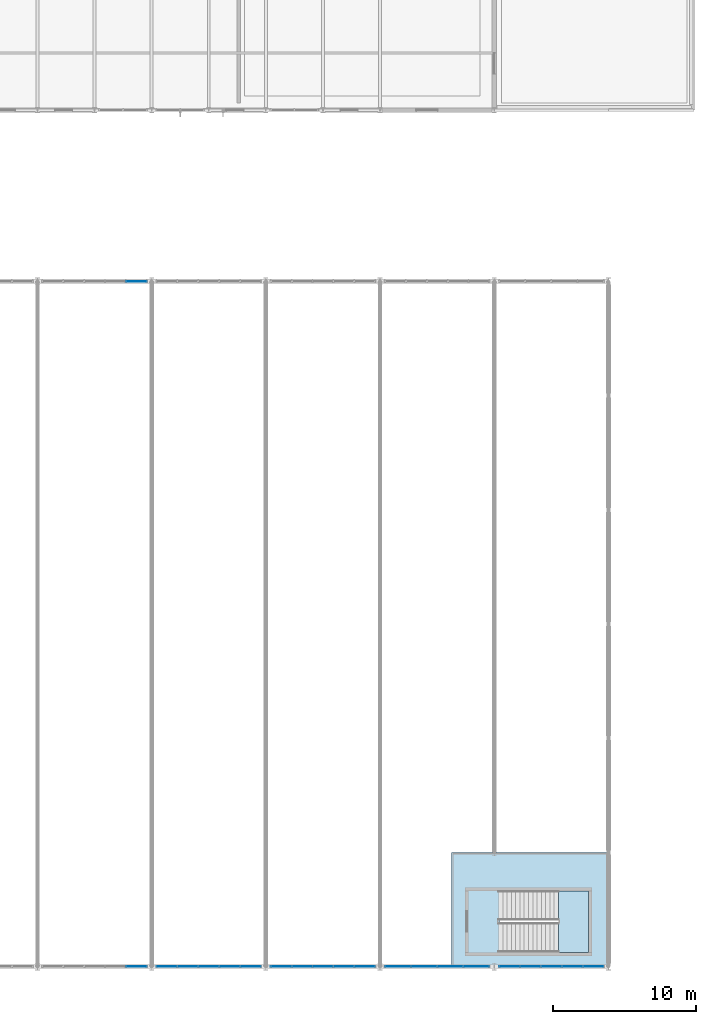
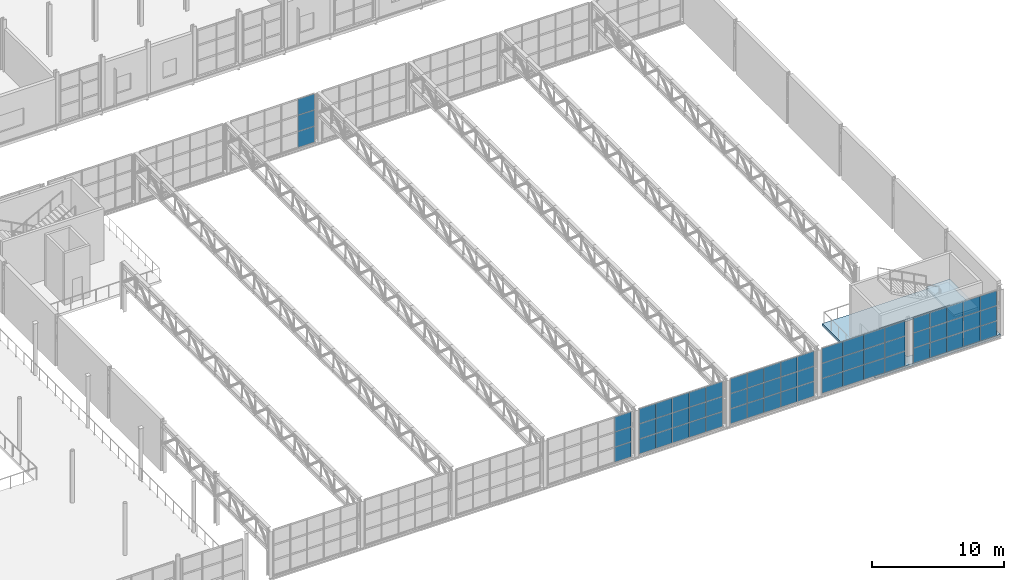
# One storey, part 115 of 143: 63 plates, 2 slabs, 7 elements without a shape of their own.
"""IFC4 building model written with IfcOpenShell, lengths in metres."""

from ifc_helpers import new_model, si_unit, derived_unit, direction, frame, origin, origin_2d, place, context, subcontext, project, spatial, polyline, rectangle, outline, extrude, material, layer, layer_set, type_object, element, aggregate, save


model = new_model("IFC4")

# Units and contexts
model_context = context("Model", 3, precision=1e-05, world=origin(), true_north=direction((0.0, 1.0)))
body_context = subcontext(model_context, "Body", "Model", "MODEL_VIEW")
ifc_project = project(units=[si_unit("LENGTHUNIT", "METRE"), si_unit("AREAUNIT", "SQUARE_METRE"), si_unit("VOLUMEUNIT", "CUBIC_METRE"), si_unit("PLANEANGLEUNIT", "RADIAN"), si_unit("MASSUNIT", "GRAM", prefix="KILO"), derived_unit("THERMALTRANSMITTANCEUNIT", [(si_unit("POWERUNIT", "WATT"), 1), (si_unit("LENGTHUNIT", "METRE"), -2), (si_unit("THERMODYNAMICTEMPERATUREUNIT", "KELVIN"), -1)])], contexts=[model_context])

# Site, building, storey
site_placement = place(None, origin())
site = spatial("IfcSite", under=ifc_project, at=site_placement, CompositionType="ELEMENT")
building_placement = place(site_placement, origin())
building = spatial("IfcBuilding", under=site, at=building_placement, Name="Keldorne Ridge Multi-Sports Centre", CompositionType="ELEMENT")
storey_placement = place(building_placement, frame((0.0, 0.0, 4.800048828125)))
storey = spatial("IfcBuildingStorey", under=building, at=storey_placement, Name="L01", CompositionType="ELEMENT", Elevation=4.800048828125)

# Curtain wall, plates
ifc_material_1 = material(Name="Anodized aluminium", Category="aluminium")
curtain_wall_type_1 = type_object("IfcCurtainWallType", Name="CW-CW-02", PredefinedType="NOTDEFINED", material=ifc_material_1)
curtain_wall_1_placement = place(storey_placement, origin())
curtain_wall_1 = element("IfcCurtainWall", 1, at=curtain_wall_1_placement, inside=storey, type_object=curtain_wall_type_1, Name="Lower Courts high clerestory 106", PredefinedType="NOTDEFINED")
ifc_material_2 = material(Name="Double low-e insulated glazing", Category="glass")
ifc_layer_1 = layer(ifc_material_2, 0.035888671875)
ifc_layer_set_1 = layer_set([ifc_layer_1])
plate_type = type_object("IfcPlateType", Name="PLT-GL-01", PredefinedType="CURTAIN_PANEL", material=ifc_layer_set_1)
plate_1_placement = place(storey_placement, frame((134.927978515625, 6.0, 0.02001953125), z_axis=(0.0, 0.0, 1.0), x_axis=(1.0, 0.0, 0.0)))
plate_1 = element("IfcPlate", 2, at=plate_1_placement, type_object=plate_type, Name="CW-106 glazed panel 5.1", PredefinedType="CURTAIN_PANEL", context=body_context, shape_type="SweptSolid", body=[
    extrude(rectangle(XDim=1.424072265625, YDim=0.035888671875, at=origin_2d()), origin(), (0.0, 0.0, 1.0), 1.360107421875),
])
plate_2_placement = place(storey_placement, frame((134.927978515625, 6.0, 1.419921875), z_axis=(0.0, 0.0, 1.0), x_axis=(1.0, 0.0, 0.0)))
plate_2 = element("IfcPlate", 3, at=plate_2_placement, type_object=plate_type, Name="CW-106 glazed panel 5.2", PredefinedType="CURTAIN_PANEL", context=body_context, shape_type="SweptSolid", body=[
    extrude(rectangle(XDim=1.424072265625, YDim=0.035888671875, at=origin_2d()), origin(), (0.0, 0.0, 1.0), 1.360107421875),
])
plate_3_placement = place(storey_placement, frame((134.927978515625, 6.0, 2.81982421875), z_axis=(0.0, 0.0, 1.0), x_axis=(1.0, 0.0, 0.0)))
plate_3 = element("IfcPlate", 4, at=plate_3_placement, type_object=plate_type, Name="CW-106 glazed panel 5.3", PredefinedType="CURTAIN_PANEL", context=body_context, shape_type="SweptSolid", body=[
    extrude(rectangle(XDim=1.424072265625, YDim=0.035888671875, at=origin_2d()), origin(), (0.0, 0.0, 1.0), 1.360107421875),
])
aggregate(curtain_wall_1, [plate_1, plate_2, plate_3])

curtain_wall_type_2 = type_object("IfcCurtainWallType", Name="CW-CW-06", PredefinedType="NOTDEFINED", material=ifc_material_1)
curtain_wall_2_placement = place(storey_placement, origin())
curtain_wall_2 = element("IfcCurtainWall", 5, at=curtain_wall_2_placement, inside=storey, type_object=curtain_wall_type_2, Name="Lower Courts north clerestory 110", PredefinedType="NOTDEFINED")
plate_4_placement = place(storey_placement, frame((134.927978515625, 54.0, 0.02001953125), z_axis=(0.0, 0.0, 1.0), x_axis=(-1.0, 0.0, 0.0)))
plate_4 = element("IfcPlate", 6, at=plate_4_placement, type_object=plate_type, Name="CW-110 glazed panel 1.1", PredefinedType="CURTAIN_PANEL", context=body_context, shape_type="SweptSolid", body=[
    extrude(rectangle(XDim=1.424072265625, YDim=0.035888671875, at=origin_2d()), origin(), (0.0, 0.0, 1.0), 1.4599609375),
])
plate_5_placement = place(storey_placement, frame((134.927978515625, 54.0, 1.52001953125), z_axis=(0.0, 0.0, 1.0), x_axis=(-1.0, 0.0, 0.0)))
plate_5 = element("IfcPlate", 7, at=plate_5_placement, type_object=plate_type, Name="CW-110 glazed panel 1.2", PredefinedType="CURTAIN_PANEL", context=body_context, shape_type="SweptSolid", body=[
    extrude(rectangle(XDim=1.424072265625, YDim=0.035888671875, at=origin_2d()), origin(), (0.0, 0.0, 1.0), 1.4599609375),
])
plate_6_placement = place(storey_placement, frame((134.927978515625, 54.0, 3.02001953125), z_axis=(0.0, 0.0, 1.0), x_axis=(-1.0, 0.0, 0.0)))
plate_6 = element("IfcPlate", 8, at=plate_6_placement, type_object=plate_type, Name="CW-110 glazed panel 1.3", PredefinedType="CURTAIN_PANEL", context=body_context, shape_type="SweptSolid", body=[
    extrude(rectangle(XDim=1.424072265625, YDim=0.035888671875, at=origin_2d()), origin(), (0.0, 0.0, 1.0), 1.4599609375),
])
aggregate(curtain_wall_2, [plate_4, plate_5, plate_6])

curtain_wall_type_3 = type_object("IfcCurtainWallType", Name="CW-CW-01", PredefinedType="NOTDEFINED", material=ifc_material_1)
curtain_wall_3_placement = place(storey_placement, origin())
curtain_wall_3 = element("IfcCurtainWall", 9, at=curtain_wall_3_placement, inside=storey, type_object=curtain_wall_type_3, Name="Lower Courts high clerestory 113", PredefinedType="NOTDEFINED")
plate_7_placement = place(storey_placement, frame((137.072021484375, 6.0, 0.02001953125), z_axis=(0.0, 0.0, 1.0), x_axis=(1.0, 0.0, 0.0)))
plate_7 = element("IfcPlate", 10, at=plate_7_placement, type_object=plate_type, Name="CW-113 glazed panel 1.1", PredefinedType="CURTAIN_PANEL", context=body_context, shape_type="SweptSolid", body=[
    extrude(rectangle(XDim=1.424072265625, YDim=0.035888671875, at=origin_2d()), origin(), (0.0, 0.0, 1.0), 1.360107421875),
])
plate_8_placement = place(storey_placement, frame((137.072021484375, 6.0, 1.419921875), z_axis=(0.0, 0.0, 1.0), x_axis=(1.0, 0.0, 0.0)))
plate_8 = element("IfcPlate", 11, at=plate_8_placement, type_object=plate_type, Name="CW-113 glazed panel 1.2", PredefinedType="CURTAIN_PANEL", context=body_context, shape_type="SweptSolid", body=[
    extrude(rectangle(XDim=1.424072265625, YDim=0.035888671875, at=origin_2d()), origin(), (0.0, 0.0, 1.0), 1.360107421875),
])
plate_9_placement = place(storey_placement, frame((137.072021484375, 6.0, 2.81982421875), z_axis=(0.0, 0.0, 1.0), x_axis=(1.0, 0.0, 0.0)))
plate_9 = element("IfcPlate", 12, at=plate_9_placement, type_object=plate_type, Name="CW-113 glazed panel 1.3", PredefinedType="CURTAIN_PANEL", context=body_context, shape_type="SweptSolid", body=[
    extrude(rectangle(XDim=1.424072265625, YDim=0.035888671875, at=origin_2d()), origin(), (0.0, 0.0, 1.0), 1.360107421875),
])
plate_10_placement = place(storey_placement, frame((138.535888671875, 6.0, 0.02001953125), z_axis=(0.0, 0.0, 1.0), x_axis=(1.0, 0.0, 0.0)))
plate_10 = element("IfcPlate", 13, at=plate_10_placement, type_object=plate_type, Name="CW-113 glazed panel 2.1", PredefinedType="CURTAIN_PANEL", context=body_context, shape_type="SweptSolid", body=[
    extrude(rectangle(XDim=1.424072265625, YDim=0.035888671875, at=origin_2d()), origin(), (0.0, 0.0, 1.0), 1.360107421875),
])
plate_11_placement = place(storey_placement, frame((138.535888671875, 6.0, 1.419921875), z_axis=(0.0, 0.0, 1.0), x_axis=(1.0, 0.0, 0.0)))
plate_11 = element("IfcPlate", 14, at=plate_11_placement, type_object=plate_type, Name="CW-113 glazed panel 2.2", PredefinedType="CURTAIN_PANEL", context=body_context, shape_type="SweptSolid", body=[
    extrude(rectangle(XDim=1.424072265625, YDim=0.035888671875, at=origin_2d()), origin(), (0.0, 0.0, 1.0), 1.360107421875),
])
plate_12_placement = place(storey_placement, frame((138.535888671875, 6.0, 2.81982421875), z_axis=(0.0, 0.0, 1.0), x_axis=(1.0, 0.0, 0.0)))
plate_12 = element("IfcPlate", 15, at=plate_12_placement, type_object=plate_type, Name="CW-113 glazed panel 2.3", PredefinedType="CURTAIN_PANEL", context=body_context, shape_type="SweptSolid", body=[
    extrude(rectangle(XDim=1.424072265625, YDim=0.035888671875, at=origin_2d()), origin(), (0.0, 0.0, 1.0), 1.360107421875),
])
plate_13_placement = place(storey_placement, frame((140.0, 6.0, 0.02001953125), z_axis=(0.0, 0.0, 1.0), x_axis=(1.0, 0.0, 0.0)))
plate_13 = element("IfcPlate", 16, at=plate_13_placement, type_object=plate_type, Name="CW-113 glazed panel 3.1", PredefinedType="CURTAIN_PANEL", context=body_context, shape_type="SweptSolid", body=[
    extrude(rectangle(XDim=1.424072265625, YDim=0.035888671875, at=origin_2d()), origin(), (0.0, 0.0, 1.0), 1.360107421875),
])
plate_14_placement = place(storey_placement, frame((140.0, 6.0, 1.419921875), z_axis=(0.0, 0.0, 1.0), x_axis=(1.0, 0.0, 0.0)))
plate_14 = element("IfcPlate", 17, at=plate_14_placement, type_object=plate_type, Name="CW-113 glazed panel 3.2", PredefinedType="CURTAIN_PANEL", context=body_context, shape_type="SweptSolid", body=[
    extrude(rectangle(XDim=1.424072265625, YDim=0.035888671875, at=origin_2d()), origin(), (0.0, 0.0, 1.0), 1.360107421875),
])
plate_15_placement = place(storey_placement, frame((140.0, 6.0, 2.81982421875), z_axis=(0.0, 0.0, 1.0), x_axis=(1.0, 0.0, 0.0)))
plate_15 = element("IfcPlate", 18, at=plate_15_placement, type_object=plate_type, Name="CW-113 glazed panel 3.3", PredefinedType="CURTAIN_PANEL", context=body_context, shape_type="SweptSolid", body=[
    extrude(rectangle(XDim=1.424072265625, YDim=0.035888671875, at=origin_2d()), origin(), (0.0, 0.0, 1.0), 1.360107421875),
])
plate_16_placement = place(storey_placement, frame((141.464111328125, 6.0, 0.02001953125), z_axis=(0.0, 0.0, 1.0), x_axis=(1.0, 0.0, 0.0)))
plate_16 = element("IfcPlate", 19, at=plate_16_placement, type_object=plate_type, Name="CW-113 glazed panel 4.1", PredefinedType="CURTAIN_PANEL", context=body_context, shape_type="SweptSolid", body=[
    extrude(rectangle(XDim=1.424072265625, YDim=0.035888671875, at=origin_2d()), origin(), (0.0, 0.0, 1.0), 1.360107421875),
])
plate_17_placement = place(storey_placement, frame((141.464111328125, 6.0, 1.419921875), z_axis=(0.0, 0.0, 1.0), x_axis=(1.0, 0.0, 0.0)))
plate_17 = element("IfcPlate", 20, at=plate_17_placement, type_object=plate_type, Name="CW-113 glazed panel 4.2", PredefinedType="CURTAIN_PANEL", context=body_context, shape_type="SweptSolid", body=[
    extrude(rectangle(XDim=1.424072265625, YDim=0.035888671875, at=origin_2d()), origin(), (0.0, 0.0, 1.0), 1.360107421875),
])
plate_18_placement = place(storey_placement, frame((141.464111328125, 6.0, 2.81982421875), z_axis=(0.0, 0.0, 1.0), x_axis=(1.0, 0.0, 0.0)))
plate_18 = element("IfcPlate", 21, at=plate_18_placement, type_object=plate_type, Name="CW-113 glazed panel 4.3", PredefinedType="CURTAIN_PANEL", context=body_context, shape_type="SweptSolid", body=[
    extrude(rectangle(XDim=1.424072265625, YDim=0.035888671875, at=origin_2d()), origin(), (0.0, 0.0, 1.0), 1.360107421875),
])
plate_19_placement = place(storey_placement, frame((142.927978515625, 6.0, 0.02001953125), z_axis=(0.0, 0.0, 1.0), x_axis=(1.0, 0.0, 0.0)))
plate_19 = element("IfcPlate", 22, at=plate_19_placement, type_object=plate_type, Name="CW-113 glazed panel 5.1", PredefinedType="CURTAIN_PANEL", context=body_context, shape_type="SweptSolid", body=[
    extrude(rectangle(XDim=1.424072265625, YDim=0.035888671875, at=origin_2d()), origin(), (0.0, 0.0, 1.0), 1.360107421875),
])
plate_20_placement = place(storey_placement, frame((142.927978515625, 6.0, 1.419921875), z_axis=(0.0, 0.0, 1.0), x_axis=(1.0, 0.0, 0.0)))
plate_20 = element("IfcPlate", 23, at=plate_20_placement, type_object=plate_type, Name="CW-113 glazed panel 5.2", PredefinedType="CURTAIN_PANEL", context=body_context, shape_type="SweptSolid", body=[
    extrude(rectangle(XDim=1.424072265625, YDim=0.035888671875, at=origin_2d()), origin(), (0.0, 0.0, 1.0), 1.360107421875),
])
plate_21_placement = place(storey_placement, frame((142.927978515625, 6.0, 2.81982421875), z_axis=(0.0, 0.0, 1.0), x_axis=(1.0, 0.0, 0.0)))
plate_21 = element("IfcPlate", 24, at=plate_21_placement, type_object=plate_type, Name="CW-113 glazed panel 5.3", PredefinedType="CURTAIN_PANEL", context=body_context, shape_type="SweptSolid", body=[
    extrude(rectangle(XDim=1.424072265625, YDim=0.035888671875, at=origin_2d()), origin(), (0.0, 0.0, 1.0), 1.360107421875),
])
aggregate(curtain_wall_3, [plate_7, plate_8, plate_9, plate_10, plate_11, plate_12, plate_13, plate_14, plate_15, plate_16, plate_17, plate_18, plate_19, plate_20, plate_21])

curtain_wall_type_4 = type_object("IfcCurtainWallType", Name="CW-CW-07", PredefinedType="NOTDEFINED", material=ifc_material_1)
curtain_wall_4_placement = place(storey_placement, origin())
curtain_wall_4 = element("IfcCurtainWall", 25, at=curtain_wall_4_placement, inside=storey, type_object=curtain_wall_type_4, Name="Lower Courts high clerestory 119", PredefinedType="NOTDEFINED")
plate_22_placement = place(storey_placement, frame((145.072021484375, 6.0, 0.02001953125), z_axis=(0.0, 0.0, 1.0), x_axis=(1.0, 0.0, 0.0)))
plate_22 = element("IfcPlate", 26, at=plate_22_placement, type_object=plate_type, Name="CW-119 glazed panel 1.1", PredefinedType="CURTAIN_PANEL", context=body_context, shape_type="SweptSolid", body=[
    extrude(rectangle(XDim=1.424072265625, YDim=0.035888671875, at=origin_2d()), origin(), (0.0, 0.0, 1.0), 1.360107421875),
])
plate_23_placement = place(storey_placement, frame((145.072021484375, 6.0, 1.419921875), z_axis=(0.0, 0.0, 1.0), x_axis=(1.0, 0.0, 0.0)))
plate_23 = element("IfcPlate", 27, at=plate_23_placement, type_object=plate_type, Name="CW-119 glazed panel 1.2", PredefinedType="CURTAIN_PANEL", context=body_context, shape_type="SweptSolid", body=[
    extrude(rectangle(XDim=1.424072265625, YDim=0.035888671875, at=origin_2d()), origin(), (0.0, 0.0, 1.0), 1.360107421875),
])
plate_24_placement = place(storey_placement, frame((145.072021484375, 6.0, 2.81982421875), z_axis=(0.0, 0.0, 1.0), x_axis=(1.0, 0.0, 0.0)))
plate_24 = element("IfcPlate", 28, at=plate_24_placement, type_object=plate_type, Name="CW-119 glazed panel 1.3", PredefinedType="CURTAIN_PANEL", context=body_context, shape_type="SweptSolid", body=[
    extrude(rectangle(XDim=1.424072265625, YDim=0.035888671875, at=origin_2d()), origin(), (0.0, 0.0, 1.0), 1.360107421875),
])
plate_25_placement = place(storey_placement, frame((146.535888671875, 6.0, 0.02001953125), z_axis=(0.0, 0.0, 1.0), x_axis=(1.0, 0.0, 0.0)))
plate_25 = element("IfcPlate", 29, at=plate_25_placement, type_object=plate_type, Name="CW-119 glazed panel 2.1", PredefinedType="CURTAIN_PANEL", context=body_context, shape_type="SweptSolid", body=[
    extrude(rectangle(XDim=1.424072265625, YDim=0.035888671875, at=origin_2d()), origin(), (0.0, 0.0, 1.0), 1.360107421875),
])
plate_26_placement = place(storey_placement, frame((146.535888671875, 6.0, 1.419921875), z_axis=(0.0, 0.0, 1.0), x_axis=(1.0, 0.0, 0.0)))
plate_26 = element("IfcPlate", 30, at=plate_26_placement, type_object=plate_type, Name="CW-119 glazed panel 2.2", PredefinedType="CURTAIN_PANEL", context=body_context, shape_type="SweptSolid", body=[
    extrude(rectangle(XDim=1.424072265625, YDim=0.035888671875, at=origin_2d()), origin(), (0.0, 0.0, 1.0), 1.360107421875),
])
plate_27_placement = place(storey_placement, frame((146.535888671875, 6.0, 2.81982421875), z_axis=(0.0, 0.0, 1.0), x_axis=(1.0, 0.0, 0.0)))
plate_27 = element("IfcPlate", 31, at=plate_27_placement, type_object=plate_type, Name="CW-119 glazed panel 2.3", PredefinedType="CURTAIN_PANEL", context=body_context, shape_type="SweptSolid", body=[
    extrude(rectangle(XDim=1.424072265625, YDim=0.035888671875, at=origin_2d()), origin(), (0.0, 0.0, 1.0), 1.360107421875),
])
plate_28_placement = place(storey_placement, frame((148.0, 6.0, 0.02001953125), z_axis=(0.0, 0.0, 1.0), x_axis=(1.0, 0.0, 0.0)))
plate_28 = element("IfcPlate", 32, at=plate_28_placement, type_object=plate_type, Name="CW-119 glazed panel 3.1", PredefinedType="CURTAIN_PANEL", context=body_context, shape_type="SweptSolid", body=[
    extrude(rectangle(XDim=1.424072265625, YDim=0.035888671875, at=origin_2d()), origin(), (0.0, 0.0, 1.0), 1.360107421875),
])
plate_29_placement = place(storey_placement, frame((148.0, 6.0, 1.419921875), z_axis=(0.0, 0.0, 1.0), x_axis=(1.0, 0.0, 0.0)))
plate_29 = element("IfcPlate", 33, at=plate_29_placement, type_object=plate_type, Name="CW-119 glazed panel 3.2", PredefinedType="CURTAIN_PANEL", context=body_context, shape_type="SweptSolid", body=[
    extrude(rectangle(XDim=1.424072265625, YDim=0.035888671875, at=origin_2d()), origin(), (0.0, 0.0, 1.0), 1.360107421875),
])
plate_30_placement = place(storey_placement, frame((148.0, 6.0, 2.81982421875), z_axis=(0.0, 0.0, 1.0), x_axis=(1.0, 0.0, 0.0)))
plate_30 = element("IfcPlate", 34, at=plate_30_placement, type_object=plate_type, Name="CW-119 glazed panel 3.3", PredefinedType="CURTAIN_PANEL", context=body_context, shape_type="SweptSolid", body=[
    extrude(rectangle(XDim=1.424072265625, YDim=0.035888671875, at=origin_2d()), origin(), (0.0, 0.0, 1.0), 1.360107421875),
])
plate_31_placement = place(storey_placement, frame((149.464111328125, 6.0, 0.02001953125), z_axis=(0.0, 0.0, 1.0), x_axis=(1.0, 0.0, 0.0)))
plate_31 = element("IfcPlate", 35, at=plate_31_placement, type_object=plate_type, Name="CW-119 glazed panel 4.1", PredefinedType="CURTAIN_PANEL", context=body_context, shape_type="SweptSolid", body=[
    extrude(rectangle(XDim=1.424072265625, YDim=0.035888671875, at=origin_2d()), origin(), (0.0, 0.0, 1.0), 1.360107421875),
])
plate_32_placement = place(storey_placement, frame((149.464111328125, 6.0, 1.419921875), z_axis=(0.0, 0.0, 1.0), x_axis=(1.0, 0.0, 0.0)))
plate_32 = element("IfcPlate", 36, at=plate_32_placement, type_object=plate_type, Name="CW-119 glazed panel 4.2", PredefinedType="CURTAIN_PANEL", context=body_context, shape_type="SweptSolid", body=[
    extrude(rectangle(XDim=1.424072265625, YDim=0.035888671875, at=origin_2d()), origin(), (0.0, 0.0, 1.0), 1.360107421875),
])
plate_33_placement = place(storey_placement, frame((149.464111328125, 6.0, 2.81982421875), z_axis=(0.0, 0.0, 1.0), x_axis=(1.0, 0.0, 0.0)))
plate_33 = element("IfcPlate", 37, at=plate_33_placement, type_object=plate_type, Name="CW-119 glazed panel 4.3", PredefinedType="CURTAIN_PANEL", context=body_context, shape_type="SweptSolid", body=[
    extrude(rectangle(XDim=1.424072265625, YDim=0.035888671875, at=origin_2d()), origin(), (0.0, 0.0, 1.0), 1.360107421875),
])
plate_34_placement = place(storey_placement, frame((150.927978515625, 6.0, 0.02001953125), z_axis=(0.0, 0.0, 1.0), x_axis=(1.0, 0.0, 0.0)))
plate_34 = element("IfcPlate", 38, at=plate_34_placement, type_object=plate_type, Name="CW-119 glazed panel 5.1", PredefinedType="CURTAIN_PANEL", context=body_context, shape_type="SweptSolid", body=[
    extrude(rectangle(XDim=1.424072265625, YDim=0.035888671875, at=origin_2d()), origin(), (0.0, 0.0, 1.0), 1.360107421875),
])
plate_35_placement = place(storey_placement, frame((150.927978515625, 6.0, 1.419921875), z_axis=(0.0, 0.0, 1.0), x_axis=(1.0, 0.0, 0.0)))
plate_35 = element("IfcPlate", 39, at=plate_35_placement, type_object=plate_type, Name="CW-119 glazed panel 5.2", PredefinedType="CURTAIN_PANEL", context=body_context, shape_type="SweptSolid", body=[
    extrude(rectangle(XDim=1.424072265625, YDim=0.035888671875, at=origin_2d()), origin(), (0.0, 0.0, 1.0), 1.360107421875),
])
plate_36_placement = place(storey_placement, frame((150.927978515625, 6.0, 2.81982421875), z_axis=(0.0, 0.0, 1.0), x_axis=(1.0, 0.0, 0.0)))
plate_36 = element("IfcPlate", 40, at=plate_36_placement, type_object=plate_type, Name="CW-119 glazed panel 5.3", PredefinedType="CURTAIN_PANEL", context=body_context, shape_type="SweptSolid", body=[
    extrude(rectangle(XDim=1.424072265625, YDim=0.035888671875, at=origin_2d()), origin(), (0.0, 0.0, 1.0), 1.360107421875),
])
aggregate(curtain_wall_4, [plate_22, plate_23, plate_24, plate_25, plate_26, plate_27, plate_28, plate_29, plate_30, plate_31, plate_32, plate_33, plate_34, plate_35, plate_36])

curtain_wall_type_5 = type_object("IfcCurtainWallType", Name="CW-CW-05", PredefinedType="NOTDEFINED", material=ifc_material_1)
curtain_wall_5_placement = place(storey_placement, origin())
curtain_wall_5 = element("IfcCurtainWall", 41, at=curtain_wall_5_placement, inside=storey, type_object=curtain_wall_type_5, Name="Lower Courts high clerestory 125", PredefinedType="NOTDEFINED")
plate_37_placement = place(storey_placement, frame((153.2548828125, 6.0, 0.02001953125), z_axis=(0.0, 0.0, 1.0), x_axis=(1.0, 0.0, 0.0)))
plate_37 = element("IfcPlate", 42, at=plate_37_placement, type_object=plate_type, Name="CW-125 glazed panel 1.1", PredefinedType="CURTAIN_PANEL", context=body_context, shape_type="SweptSolid", body=[
    extrude(rectangle(XDim=1.7900390625, YDim=0.035888671875, at=origin_2d()), origin(), (0.0, 0.0, 1.0), 1.360107421875),
])
plate_38_placement = place(storey_placement, frame((153.2548828125, 6.0, 1.419921875), z_axis=(0.0, 0.0, 1.0), x_axis=(1.0, 0.0, 0.0)))
plate_38 = element("IfcPlate", 43, at=plate_38_placement, type_object=plate_type, Name="CW-125 glazed panel 1.2", PredefinedType="CURTAIN_PANEL", context=body_context, shape_type="SweptSolid", body=[
    extrude(rectangle(XDim=1.7900390625, YDim=0.035888671875, at=origin_2d()), origin(), (0.0, 0.0, 1.0), 1.360107421875),
])
plate_39_placement = place(storey_placement, frame((153.2548828125, 6.0, 2.81982421875), z_axis=(0.0, 0.0, 1.0), x_axis=(1.0, 0.0, 0.0)))
plate_39 = element("IfcPlate", 44, at=plate_39_placement, type_object=plate_type, Name="CW-125 glazed panel 1.3", PredefinedType="CURTAIN_PANEL", context=body_context, shape_type="SweptSolid", body=[
    extrude(rectangle(XDim=1.7900390625, YDim=0.035888671875, at=origin_2d()), origin(), (0.0, 0.0, 1.0), 1.360107421875),
])
plate_40_placement = place(storey_placement, frame((155.0849609375, 6.0, 0.02001953125), z_axis=(0.0, 0.0, 1.0), x_axis=(1.0, 0.0, 0.0)))
plate_40 = element("IfcPlate", 45, at=plate_40_placement, type_object=plate_type, Name="CW-125 glazed panel 2.1", PredefinedType="CURTAIN_PANEL", context=body_context, shape_type="SweptSolid", body=[
    extrude(rectangle(XDim=1.7900390625, YDim=0.035888671875, at=origin_2d()), origin(), (0.0, 0.0, 1.0), 1.360107421875),
])
plate_41_placement = place(storey_placement, frame((155.0849609375, 6.0, 1.419921875), z_axis=(0.0, 0.0, 1.0), x_axis=(1.0, 0.0, 0.0)))
plate_41 = element("IfcPlate", 46, at=plate_41_placement, type_object=plate_type, Name="CW-125 glazed panel 2.2", PredefinedType="CURTAIN_PANEL", context=body_context, shape_type="SweptSolid", body=[
    extrude(rectangle(XDim=1.7900390625, YDim=0.035888671875, at=origin_2d()), origin(), (0.0, 0.0, 1.0), 1.360107421875),
])
plate_42_placement = place(storey_placement, frame((155.0849609375, 6.0, 2.81982421875), z_axis=(0.0, 0.0, 1.0), x_axis=(1.0, 0.0, 0.0)))
plate_42 = element("IfcPlate", 47, at=plate_42_placement, type_object=plate_type, Name="CW-125 glazed panel 2.3", PredefinedType="CURTAIN_PANEL", context=body_context, shape_type="SweptSolid", body=[
    extrude(rectangle(XDim=1.7900390625, YDim=0.035888671875, at=origin_2d()), origin(), (0.0, 0.0, 1.0), 1.360107421875),
])
plate_43_placement = place(storey_placement, frame((156.9150390625, 6.0, 0.02001953125), z_axis=(0.0, 0.0, 1.0), x_axis=(1.0, 0.0, 0.0)))
plate_43 = element("IfcPlate", 48, at=plate_43_placement, type_object=plate_type, Name="CW-125 glazed panel 3.1", PredefinedType="CURTAIN_PANEL", context=body_context, shape_type="SweptSolid", body=[
    extrude(rectangle(XDim=1.7900390625, YDim=0.035888671875, at=origin_2d()), origin(), (0.0, 0.0, 1.0), 1.360107421875),
])
plate_44_placement = place(storey_placement, frame((156.9150390625, 6.0, 1.419921875), z_axis=(0.0, 0.0, 1.0), x_axis=(1.0, 0.0, 0.0)))
plate_44 = element("IfcPlate", 49, at=plate_44_placement, type_object=plate_type, Name="CW-125 glazed panel 3.2", PredefinedType="CURTAIN_PANEL", context=body_context, shape_type="SweptSolid", body=[
    extrude(rectangle(XDim=1.7900390625, YDim=0.035888671875, at=origin_2d()), origin(), (0.0, 0.0, 1.0), 1.360107421875),
])
plate_45_placement = place(storey_placement, frame((156.9150390625, 6.0, 2.81982421875), z_axis=(0.0, 0.0, 1.0), x_axis=(1.0, 0.0, 0.0)))
plate_45 = element("IfcPlate", 50, at=plate_45_placement, type_object=plate_type, Name="CW-125 glazed panel 3.3", PredefinedType="CURTAIN_PANEL", context=body_context, shape_type="SweptSolid", body=[
    extrude(rectangle(XDim=1.7900390625, YDim=0.035888671875, at=origin_2d()), origin(), (0.0, 0.0, 1.0), 1.360107421875),
])
plate_46_placement = place(storey_placement, frame((158.7451171875, 6.0, 0.02001953125), z_axis=(0.0, 0.0, 1.0), x_axis=(1.0, 0.0, 0.0)))
plate_46 = element("IfcPlate", 51, at=plate_46_placement, type_object=plate_type, Name="CW-125 glazed panel 4.1", PredefinedType="CURTAIN_PANEL", context=body_context, shape_type="SweptSolid", body=[
    extrude(rectangle(XDim=1.7900390625, YDim=0.035888671875, at=origin_2d()), origin(), (0.0, 0.0, 1.0), 1.360107421875),
])
plate_47_placement = place(storey_placement, frame((158.7451171875, 6.0, 1.419921875), z_axis=(0.0, 0.0, 1.0), x_axis=(1.0, 0.0, 0.0)))
plate_47 = element("IfcPlate", 52, at=plate_47_placement, type_object=plate_type, Name="CW-125 glazed panel 4.2", PredefinedType="CURTAIN_PANEL", context=body_context, shape_type="SweptSolid", body=[
    extrude(rectangle(XDim=1.7900390625, YDim=0.035888671875, at=origin_2d()), origin(), (0.0, 0.0, 1.0), 1.360107421875),
])
plate_48_placement = place(storey_placement, frame((158.7451171875, 6.0, 2.81982421875), z_axis=(0.0, 0.0, 1.0), x_axis=(1.0, 0.0, 0.0)))
plate_48 = element("IfcPlate", 53, at=plate_48_placement, type_object=plate_type, Name="CW-125 glazed panel 4.3", PredefinedType="CURTAIN_PANEL", context=body_context, shape_type="SweptSolid", body=[
    extrude(rectangle(XDim=1.7900390625, YDim=0.035888671875, at=origin_2d()), origin(), (0.0, 0.0, 1.0), 1.360107421875),
])
aggregate(curtain_wall_5, [plate_37, plate_38, plate_39, plate_40, plate_41, plate_42, plate_43, plate_44, plate_45, plate_46, plate_47, plate_48])

curtain_wall_type_6 = type_object("IfcCurtainWallType", Name="CW-CW-04", PredefinedType="NOTDEFINED", material=ifc_material_1)
curtain_wall_6_placement = place(storey_placement, origin())
curtain_wall_6 = element("IfcCurtainWall", 54, at=curtain_wall_6_placement, inside=storey, type_object=curtain_wall_type_6, Name="Lower Courts high clerestory 132", PredefinedType="NOTDEFINED")
plate_49_placement = place(storey_placement, frame((161.072021484375, 6.0, 0.02001953125), z_axis=(0.0, 0.0, 1.0), x_axis=(1.0, 0.0, 0.0)))
plate_49 = element("IfcPlate", 55, at=plate_49_placement, type_object=plate_type, Name="CW-132 glazed panel 1.1", PredefinedType="CURTAIN_PANEL", context=body_context, shape_type="SweptSolid", body=[
    extrude(rectangle(XDim=1.424072265625, YDim=0.035888671875, at=origin_2d()), origin(), (0.0, 0.0, 1.0), 1.360107421875),
])
plate_50_placement = place(storey_placement, frame((161.072021484375, 6.0, 1.419921875), z_axis=(0.0, 0.0, 1.0), x_axis=(1.0, 0.0, 0.0)))
plate_50 = element("IfcPlate", 56, at=plate_50_placement, type_object=plate_type, Name="CW-132 glazed panel 1.2", PredefinedType="CURTAIN_PANEL", context=body_context, shape_type="SweptSolid", body=[
    extrude(rectangle(XDim=1.424072265625, YDim=0.035888671875, at=origin_2d()), origin(), (0.0, 0.0, 1.0), 1.360107421875),
])
plate_51_placement = place(storey_placement, frame((161.072021484375, 6.0, 2.81982421875), z_axis=(0.0, 0.0, 1.0), x_axis=(1.0, 0.0, 0.0)))
plate_51 = element("IfcPlate", 57, at=plate_51_placement, type_object=plate_type, Name="CW-132 glazed panel 1.3", PredefinedType="CURTAIN_PANEL", context=body_context, shape_type="SweptSolid", body=[
    extrude(rectangle(XDim=1.424072265625, YDim=0.035888671875, at=origin_2d()), origin(), (0.0, 0.0, 1.0), 1.360107421875),
])
plate_52_placement = place(storey_placement, frame((162.535888671875, 6.0, 0.02001953125), z_axis=(0.0, 0.0, 1.0), x_axis=(1.0, 0.0, 0.0)))
plate_52 = element("IfcPlate", 58, at=plate_52_placement, type_object=plate_type, Name="CW-132 glazed panel 2.1", PredefinedType="CURTAIN_PANEL", context=body_context, shape_type="SweptSolid", body=[
    extrude(rectangle(XDim=1.424072265625, YDim=0.035888671875, at=origin_2d()), origin(), (0.0, 0.0, 1.0), 1.360107421875),
])
plate_53_placement = place(storey_placement, frame((162.535888671875, 6.0, 1.419921875), z_axis=(0.0, 0.0, 1.0), x_axis=(1.0, 0.0, 0.0)))
plate_53 = element("IfcPlate", 59, at=plate_53_placement, type_object=plate_type, Name="CW-132 glazed panel 2.2", PredefinedType="CURTAIN_PANEL", context=body_context, shape_type="SweptSolid", body=[
    extrude(rectangle(XDim=1.424072265625, YDim=0.035888671875, at=origin_2d()), origin(), (0.0, 0.0, 1.0), 1.360107421875),
])
plate_54_placement = place(storey_placement, frame((162.535888671875, 6.0, 2.81982421875), z_axis=(0.0, 0.0, 1.0), x_axis=(1.0, 0.0, 0.0)))
plate_54 = element("IfcPlate", 60, at=plate_54_placement, type_object=plate_type, Name="CW-132 glazed panel 2.3", PredefinedType="CURTAIN_PANEL", context=body_context, shape_type="SweptSolid", body=[
    extrude(rectangle(XDim=1.424072265625, YDim=0.035888671875, at=origin_2d()), origin(), (0.0, 0.0, 1.0), 1.360107421875),
])
plate_55_placement = place(storey_placement, frame((164.0, 6.0, 0.02001953125), z_axis=(0.0, 0.0, 1.0), x_axis=(1.0, 0.0, 0.0)))
plate_55 = element("IfcPlate", 61, at=plate_55_placement, type_object=plate_type, Name="CW-132 glazed panel 3.1", PredefinedType="CURTAIN_PANEL", context=body_context, shape_type="SweptSolid", body=[
    extrude(rectangle(XDim=1.424072265625, YDim=0.035888671875, at=origin_2d()), origin(), (0.0, 0.0, 1.0), 1.360107421875),
])
plate_56_placement = place(storey_placement, frame((164.0, 6.0, 1.419921875), z_axis=(0.0, 0.0, 1.0), x_axis=(1.0, 0.0, 0.0)))
plate_56 = element("IfcPlate", 62, at=plate_56_placement, type_object=plate_type, Name="CW-132 glazed panel 3.2", PredefinedType="CURTAIN_PANEL", context=body_context, shape_type="SweptSolid", body=[
    extrude(rectangle(XDim=1.424072265625, YDim=0.035888671875, at=origin_2d()), origin(), (0.0, 0.0, 1.0), 1.360107421875),
])
plate_57_placement = place(storey_placement, frame((164.0, 6.0, 2.81982421875), z_axis=(0.0, 0.0, 1.0), x_axis=(1.0, 0.0, 0.0)))
plate_57 = element("IfcPlate", 63, at=plate_57_placement, type_object=plate_type, Name="CW-132 glazed panel 3.3", PredefinedType="CURTAIN_PANEL", context=body_context, shape_type="SweptSolid", body=[
    extrude(rectangle(XDim=1.424072265625, YDim=0.035888671875, at=origin_2d()), origin(), (0.0, 0.0, 1.0), 1.360107421875),
])
plate_58_placement = place(storey_placement, frame((165.464111328125, 6.0, 0.02001953125), z_axis=(0.0, 0.0, 1.0), x_axis=(1.0, 0.0, 0.0)))
plate_58 = element("IfcPlate", 64, at=plate_58_placement, type_object=plate_type, Name="CW-132 glazed panel 4.1", PredefinedType="CURTAIN_PANEL", context=body_context, shape_type="SweptSolid", body=[
    extrude(rectangle(XDim=1.424072265625, YDim=0.035888671875, at=origin_2d()), origin(), (0.0, 0.0, 1.0), 1.360107421875),
])
plate_59_placement = place(storey_placement, frame((165.464111328125, 6.0, 1.419921875), z_axis=(0.0, 0.0, 1.0), x_axis=(1.0, 0.0, 0.0)))
plate_59 = element("IfcPlate", 65, at=plate_59_placement, type_object=plate_type, Name="CW-132 glazed panel 4.2", PredefinedType="CURTAIN_PANEL", context=body_context, shape_type="SweptSolid", body=[
    extrude(rectangle(XDim=1.424072265625, YDim=0.035888671875, at=origin_2d()), origin(), (0.0, 0.0, 1.0), 1.360107421875),
])
plate_60_placement = place(storey_placement, frame((165.464111328125, 6.0, 2.81982421875), z_axis=(0.0, 0.0, 1.0), x_axis=(1.0, 0.0, 0.0)))
plate_60 = element("IfcPlate", 66, at=plate_60_placement, type_object=plate_type, Name="CW-132 glazed panel 4.3", PredefinedType="CURTAIN_PANEL", context=body_context, shape_type="SweptSolid", body=[
    extrude(rectangle(XDim=1.424072265625, YDim=0.035888671875, at=origin_2d()), origin(), (0.0, 0.0, 1.0), 1.360107421875),
])
plate_61_placement = place(storey_placement, frame((166.927978515625, 6.0, 0.02001953125), z_axis=(0.0, 0.0, 1.0), x_axis=(1.0, 0.0, 0.0)))
plate_61 = element("IfcPlate", 67, at=plate_61_placement, type_object=plate_type, Name="CW-132 glazed panel 5.1", PredefinedType="CURTAIN_PANEL", context=body_context, shape_type="SweptSolid", body=[
    extrude(rectangle(XDim=1.424072265625, YDim=0.035888671875, at=origin_2d()), origin(), (0.0, 0.0, 1.0), 1.360107421875),
])
plate_62_placement = place(storey_placement, frame((166.927978515625, 6.0, 1.419921875), z_axis=(0.0, 0.0, 1.0), x_axis=(1.0, 0.0, 0.0)))
plate_62 = element("IfcPlate", 68, at=plate_62_placement, type_object=plate_type, Name="CW-132 glazed panel 5.2", PredefinedType="CURTAIN_PANEL", context=body_context, shape_type="SweptSolid", body=[
    extrude(rectangle(XDim=1.424072265625, YDim=0.035888671875, at=origin_2d()), origin(), (0.0, 0.0, 1.0), 1.360107421875),
])
plate_63_placement = place(storey_placement, frame((166.927978515625, 6.0, 2.81982421875), z_axis=(0.0, 0.0, 1.0), x_axis=(1.0, 0.0, 0.0)))
plate_63 = element("IfcPlate", 69, at=plate_63_placement, type_object=plate_type, Name="CW-132 glazed panel 5.3", PredefinedType="CURTAIN_PANEL", context=body_context, shape_type="SweptSolid", body=[
    extrude(rectangle(XDim=1.424072265625, YDim=0.035888671875, at=origin_2d()), origin(), (0.0, 0.0, 1.0), 1.360107421875),
])
aggregate(curtain_wall_6, [plate_49, plate_50, plate_51, plate_52, plate_53, plate_54, plate_55, plate_56, plate_57, plate_58, plate_59, plate_60, plate_61, plate_62, plate_63])

# Stair, slab
ifc_material_3 = material(Name="Concrete C35/45", Category="concrete")
stair_type = type_object("IfcStairType", Name="STR-S01", PredefinedType="HALF_TURN_STAIR", material=ifc_material_3)
stair_placement = place(storey_placement, origin())
stair = element("IfcStair", 70, at=stair_placement, inside=storey, type_object=stair_type, Name="L01 South-East Courts Escape Core C5", PredefinedType="HALF_TURN_STAIR")
ifc_layer_2 = layer(ifc_material_3, 0.199951171875)
ifc_layer_set_2 = layer_set([ifc_layer_2], Name="Concrete C35/45")
slab_type_1 = type_object("IfcSlabType", Name="SLB-LDG-01", PredefinedType="LANDING", material=ifc_layer_set_2)
slab_1_placement = place(storey_placement, frame((0.0, 0.0, 2.199951171875)))
slab_1 = element("IfcSlab", 71, at=slab_1_placement, type_object=slab_type_1, Name="ST-05 landing 1", PredefinedType="LANDING", context=body_context, shape_type="SweptSolid", body=[
    extrude(outline(polyline([(164.5, 7.0), (166.60009765625, 7.0), (166.60009765625, 11.300048828125), (164.5, 11.300048828125), (164.5, 7.0)])), origin(), (0.0, 0.0, 1.0), 0.199951171875),
])
aggregate(stair, [slab_1])

# Slab
ifc_layer_3 = layer(ifc_material_3, 0.219970703125)
ifc_layer_set_3 = layer_set([ifc_layer_3], Name="Concrete C35/45")
slab_type_2 = type_object("IfcSlabType", Name="SLB-SL-F02", PredefinedType="FLOOR", material=ifc_layer_set_3)
slab_2_placement = place(storey_placement, frame((0.0, 0.0, -0.219970703125)))
element("IfcSlab", 72, at=slab_2_placement, inside=storey, type_object=slab_type_2, Name="First floor Stacked Courts South Core slab", PredefinedType="FLOOR", context=body_context, shape_type="SweptSolid", body=[
    extrude(outline(polyline([(157.0, 6.0), (168.0, 6.0), (168.0, 14.0), (157.0, 14.0), (157.0, 6.0)]), holes=[polyline([(160.3798828125, 7.0), (160.3798828125, 11.300048828125), (166.60009765625, 11.300048828125), (166.60009765625, 7.0), (160.3798828125, 7.0)])]), origin(), (0.0, 0.0, 1.0), 0.219970703125),
])

save(model, "model.ifc")
